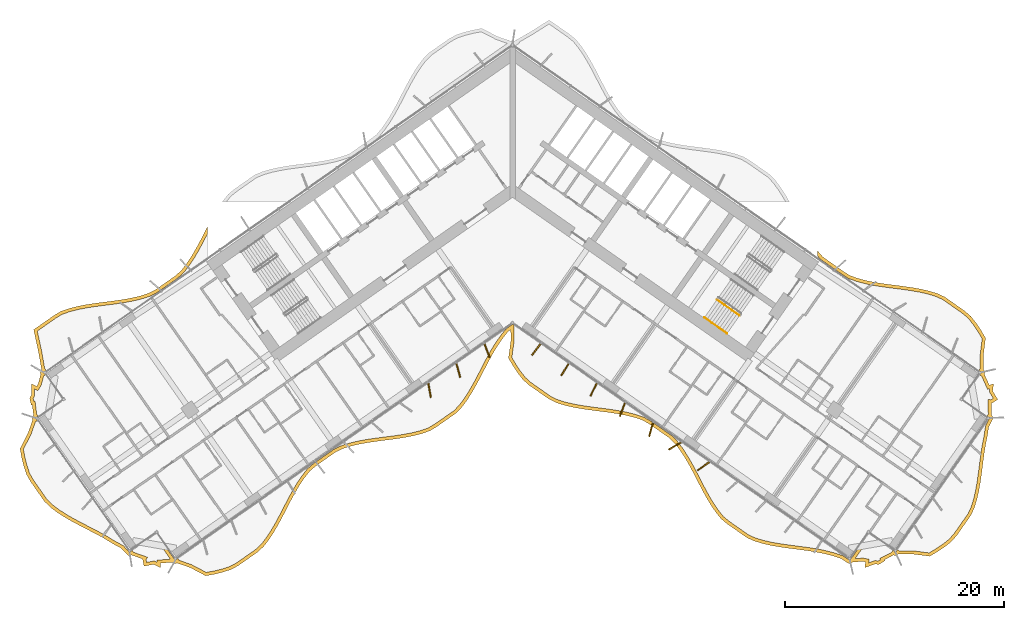
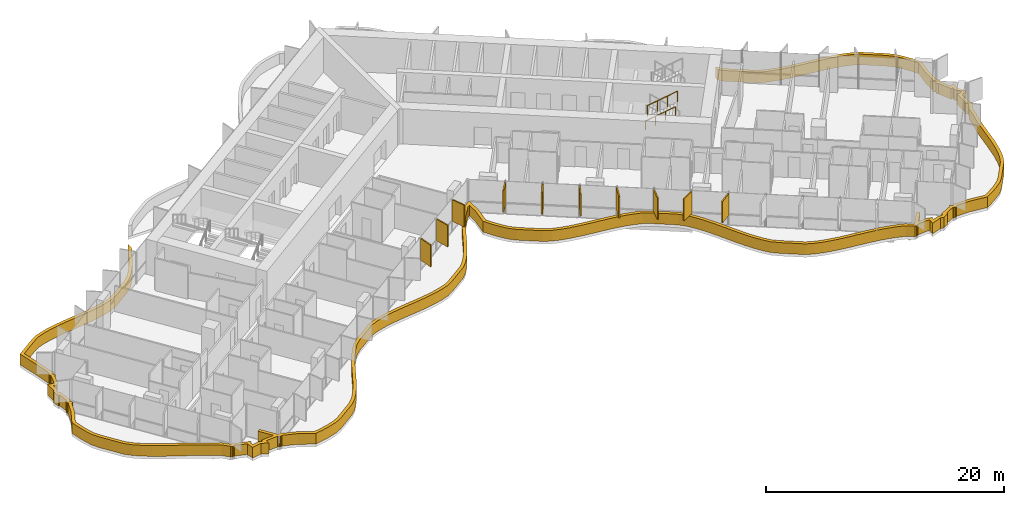
# One storey, part 22 of 25: 11 shading devices, 2 railings.
"""IFC4 building model written with IfcOpenShell, lengths in metres."""

from ifc_helpers import new_model, si_unit, direction, frame, origin, origin_2d, place, context, subcontext, project, spatial, polyline, rectangle, circle, outline, extrude, material, layer, layer_set, type_object, element, save


model = new_model("IFC4")

# Units and contexts
model_context = context("Model", 3, precision=1e-05, world=origin(), true_north=direction((0.0, 1.0)))
body_context = subcontext(model_context, "Body", "Model", "MODEL_VIEW")
ifc_project = project(units=[si_unit("LENGTHUNIT", "METRE"), si_unit("AREAUNIT", "SQUARE_METRE"), si_unit("VOLUMEUNIT", "CUBIC_METRE"), si_unit("PLANEANGLEUNIT", "RADIAN"), si_unit("MASSUNIT", "GRAM", prefix="KILO")], contexts=[model_context])

# Site, building, storey
site_placement = place(None, origin())
site = spatial("IfcSite", under=ifc_project, at=site_placement, CompositionType="ELEMENT")
building_placement = place(site_placement, origin())
building = spatial("IfcBuilding", under=site, at=building_placement, Name="Tel Ilan Convention Tower", CompositionType="ELEMENT")
storey_placement = place(building_placement, frame((0.0, 0.0, 58.10009765625)))
storey = spatial("IfcBuildingStorey", under=building, at=storey_placement, Name="L09", CompositionType="ELEMENT", Elevation=58.10009765625)

# Shading devices
ifc_material_1 = material(Name="Aluminium, bronze anodised", Category="aluminium")
ifc_layer_1 = layer(ifc_material_1, 0.1201171875)
ifc_layer_set_1 = layer_set([ifc_layer_1], Name="FIN BRONZE 1300x120")
shading_device_type_1 = type_object("IfcShadingDeviceType", Name="FIN BRONZE 1300x120", PredefinedType="USERDEFINED", material=ifc_layer_set_1)
for number, where, z_axis, x_axis, name in (
    (1, (-7.582763671875, -18.877197265625, 1.10009765625), (0.0, 0.0, 1.0), (0.173648177667, -0.984807753012, 0.0), "FIN"),
    (2, (-4.954345703125, -17.059326171875, 1.10009765625), (0.0, 0.0, 1.0), (0.268172612768, -0.963370878614, 0.0), "FIN"),
    (3, (-2.327880859375, -15.2353515625, 1.10009765625), (0.0, 0.0, 1.0), (0.360177724803, -0.932883704733, 0.0), "FIN"),
    (4, (2.17041015625, -15.13330078125, 1.10009765625), (0.0, 0.0, 1.0), (-0.612600545196, -0.790392669516, 0.0), "FIN"),
    (5, (4.7919921875, -16.968994140625, 1.10009765625), (0.0, 0.0, 1.0), (-0.533204432798, -0.845986425922, 0.0), "FIN"),
    (6, (7.413330078125, -18.80419921875, 1.10009765625), (0.0, 0.0, 1.0), (-0.448799180206, -0.893632640321, 0.0), "FIN"),
    (7, (10.03759765625, -20.6337890625, 1.10009765625), (0.0, 0.0, 1.0), (-0.360177724803, -0.932883704733, 0.0), "FIN"),
    (8, (12.664306640625, -22.457763671875, 1.10009765625), (0.0, 0.0, 1.0), (-0.268172612768, -0.963370878614, 0.0), "FIN"),
    (9, (14.842529296875, -23.96044921875, 1.10009765625), (0.0, 0.0, 1.0), (-0.866025403784, -0.5, 0.0), "FIN"),
    (10, (17.44970703125, -25.80859375, 1.10009765625), (0.0, 0.0, 1.0), (-0.813552070258, -0.581492071294, 0.0), "FIN"),
):
    element("IfcShadingDevice", number, at=place(storey_placement, frame(where, z_axis=z_axis, x_axis=x_axis)), inside=storey, type_object=shading_device_type_1, Name=name, ObjectType="FIN", PredefinedType="USERDEFINED", context=body_context, shape_type="SweptSolid", body=[
        extrude(rectangle(XDim=1.300048828125, YDim=0.1201171875, at=origin_2d()), origin(), (0.0, 0.0, 1.0), 2.219970703125),
    ])
ifc_material_2 = material(Name="Aluminium, bronze anodised", Category="aluminium")
ifc_layer_2 = layer(ifc_material_2, 0.300048828125)
ifc_layer_set_2 = layer_set([ifc_layer_2], Name="LOUVRE BAND 300x1100")
shading_device_type_2 = type_object("IfcShadingDeviceType", Name="LOUVRE BAND 300x1100", PredefinedType="USERDEFINED", material=ifc_layer_set_2)
shading_device_placement = place(storey_placement, origin())
element("IfcShadingDevice", 11, at=shading_device_placement, inside=storey, type_object=shading_device_type_2, Name="LOUVRE BAND 11.01", ObjectType="LOUVRE", PredefinedType="USERDEFINED", context=body_context, shape_type="SweptSolid", body=[
    extrude(outline(polyline([(-44.2939453125, -22.77490234375), (-45.028564453125, -24.204833984375), (-44.876953125, -25.01416015625), (-44.68408203125, -25.794677734375), (-44.4384765625, -26.538330078125), (-44.07080078125, -27.196533203125), (-42.7802734375, -29.03955078125), (-42.232421875, -29.571533203125), (-41.598876953125, -30.04345703125), (-40.91650390625, -30.481201171875), (-40.196533203125, -30.892822265625), (-39.45263671875, -31.287353515625), (-37.949462890625, -32.066162109375), (-37.219970703125, -32.470947265625), (-36.523681640625, -32.89892578125), (-35.783203125, -33.2958984375), (-35.26318359375, -33.847412109375), (-35.258544921875, -33.843994140625), (-35.2294921875, -33.887451171875), (-35.13232421875, -33.952392578125), (-35.017578125, -33.975341796875), (-34.902587890625, -33.952392578125), (-34.8486328125, -33.91650390625), (-33.810546875, -34.284912109375), (-33.821533203125, -34.302734375), (-33.688720703125, -34.9423828125), (-32.80029296875, -34.774658203125), (-32.20068359375, -35.082763671875), (-32.199462890625, -34.66796875), (-31.080322265625, -34.580810546875), (-31.051513671875, -34.624267578125), (-30.9541015625, -34.689208984375), (-30.83935546875, -34.7119140625), (-30.724365234375, -34.689208984375), (-30.67041015625, -34.653076171875), (-29.47802734375, -35.069091796875), (-28.049560546875, -35.822265625), (-27.250732421875, -35.676025390625), (-26.48095703125, -35.488525390625), (-25.74609375, -35.2509765625), (-25.0888671875, -34.90234375), (-23.27490234375, -33.63232421875), (-22.733642578125, -33.117919921875), (-22.262939453125, -32.50341796875), (-21.826416015625, -31.839599609375), (-21.4169921875, -31.13720703125), (-21.026123046875, -30.408935546875), (-20.2607421875, -28.927978515625), (-19.86669921875, -28.20361328125), (-19.45263671875, -27.5078125), (-19.010009765625, -26.85302734375), (-18.53173828125, -26.249267578125), (-17.96875, -25.76611328125), (-16.154541015625, -24.495849609375), (-15.474853515625, -24.1796875), (-14.732666015625, -23.952880859375), (-13.95654296875, -23.774169921875), (-13.154296875, -23.6328125), (-12.334716796875, -23.516357421875), (-10.681640625, -23.30322265625), (-9.86767578125, -23.178466796875), (-9.074951171875, -23.023681640625), (-8.3115234375, -22.8271484375), (-7.584228515625, -22.57861328125), (-6.9482421875, -22.2001953125), (-5.134033203125, -20.929931640625), (-4.616455078125, -20.38232421875), (-4.15283203125, -19.75732421875), (-3.722412109375, -19.0849609375), (-3.3173828125, -18.37646484375), (-2.9287109375, -17.644287109375), (-2.16259765625, -16.16455078125), (-1.765380859375, -15.44482421875), (-1.346435546875, -14.75634765625), (-0.897216796875, -14.110595703125), (-0.422119140625, -13.502197265625), (-0.16796875, -13.31494140625), (-0.15185546875, -14.322021484375), (-0.37109375, -15.922119140625), (0.03955078125, -16.62255859375), (0.47900390625, -17.281982421875), (0.95361328125, -17.89111328125), (1.505859375, -18.389404296875), (3.320068359375, -19.65966796875), (3.98828125, -19.9921875), (4.726806640625, -20.224609375), (5.499755859375, -20.407470703125), (6.2998046875, -20.552001953125), (7.1181640625, -20.67041015625), (8.771484375, -20.883056640625), (9.5869140625, -21.005615234375), (10.38232421875, -21.15673828125), (11.14892578125, -21.3486328125), (11.880126953125, -21.591796875), (12.5263671875, -21.95556640625), (14.340576171875, -23.225830078125), (14.8701171875, -23.75634765625), (15.337158203125, -24.376220703125), (15.770751953125, -25.044189453125), (16.177734375, -25.749755859375), (16.567626953125, -26.480224609375), (17.333251953125, -27.960693359375), (17.728759765625, -28.682861328125), (18.145263671875, -29.375), (18.59130859375, -30.025146484375), (19.073486328125, -30.62353515625), (19.646728515625, -31.091796875), (21.460693359375, -32.362060546875), (22.15234375, -32.6611328125), (22.898193359375, -32.883056640625), (23.67724609375, -33.057373046875), (24.481689453125, -33.19580078125), (25.302490234375, -33.310546875), (26.955078125, -33.5244140625), (27.767333984375, -33.6513671875), (28.5576171875, -33.809814453125), (29.31787109375, -34.010986328125), (30.052001953125, -34.24951171875), (30.667236328125, -34.65771484375), (30.67041015625, -34.653076171875), (30.724365234375, -34.689208984375), (30.83935546875, -34.7119140625), (30.9541015625, -34.689208984375), (31.051513671875, -34.624267578125), (31.080322265625, -34.580810546875), (32.01025390625, -34.49951171875), (32.267822265625, -34.55126953125), (32.20068359375, -35.082763671875), (33.17138671875, -34.73291015625), (33.477294921875, -34.794189453125), (34.032958984375, -34.450927734375), (33.979248046875, -34.3603515625), (34.8486328125, -33.91650390625), (34.902587890625, -33.952392578125), (35.017578125, -33.975341796875), (35.13232421875, -33.952392578125), (35.2294921875, -33.887451171875), (35.258544921875, -33.843994140625), (36.55078125, -33.833251953125), (38.145751953125, -34.034423828125), (38.8544921875, -33.615234375), (39.521728515625, -33.1669921875), (40.13671875, -32.681884765625), (40.62939453125, -32.111328125), (41.919921875, -30.268310546875), (42.232421875, -29.571533203125), (42.45947265625, -28.814697265625), (42.63720703125, -28.023681640625), (42.77783203125, -27.20654296875), (42.89404296875, -26.372314453125), (43.11181640625, -24.693603515625), (43.24267578125, -23.86962890625), (43.40673828125, -23.069091796875), (43.5263671875, -22.2373046875), (43.866943359375, -21.56005859375), (43.8623046875, -21.556884765625), (43.898193359375, -21.5029296875), (43.921142578125, -21.387939453125), (43.898193359375, -21.273193359375), (43.833251953125, -21.17578125), (43.7900390625, -21.14697265625), (43.78125, -20.04541015625), (43.8017578125, -20.049560546875), (44.357177734375, -19.7060546875), (43.89599609375, -18.9287109375), (43.98046875, -18.259765625), (43.590087890625, -18.400634765625), (43.12548828125, -17.378662109375), (43.16162109375, -17.32470703125), (43.184326171875, -17.2099609375), (43.16162109375, -17.094970703125), (43.096435546875, -16.997802734375), (43.05322265625, -16.96875), (43.041259765625, -15.681884765625), (43.245849609375, -14.085693359375), (42.828125, -13.378662109375), (42.38134765625, -12.712646484375), (41.898193359375, -12.098876953125), (41.330810546875, -11.605224609375), (39.492919921875, -10.318359375), (38.80126953125, -10.001953125), (38.0478515625, -9.774169921875), (37.260009765625, -9.595458984375), (36.44580078125, -9.4541015625), (35.614501953125, -9.337646484375), (33.940185546875, -9.120849609375), (33.117919921875, -8.99169921875), (32.318115234375, -8.830078125), (31.54931640625, -8.623779296875), (30.819091796875, -8.36279296875), (30.191162109375, -7.955810546875), (28.35693359375, -6.66357421875), (27.874755859375, -6.095458984375), (27.874755859375, -6.55908203125), (28.15234375, -6.88623046875), (30.0234375, -8.20458984375), (30.68505859375, -8.633544921875), (31.4599609375, -8.910400390625), (32.249267578125, -9.1220703125), (33.064697265625, -9.286865234375), (33.897216796875, -9.417724609375), (35.574951171875, -9.635009765625), (36.3994140625, -9.750732421875), (37.201171875, -9.8896484375), (37.97119140625, -10.064453125), (38.695068359375, -10.283447265625), (39.34326171875, -10.57958984375), (41.145751953125, -11.841796875), (41.679931640625, -12.306640625), (42.138427734375, -12.889404296875), (42.57421875, -13.53857421875), (42.935302734375, -14.149658203125), (42.740966796875, -15.66455078125), (42.75537109375, -16.87109375), (42.638671875, -17.037841796875), (42.88427734375, -17.2099609375), (42.712890625, -17.4560546875), (42.890625, -17.580322265625), (43.430908203125, -18.77685546875), (43.621337890625, -18.7080078125), (43.58544921875, -18.9931640625), (43.948974609375, -19.605712890625), (43.74462890625, -19.732177734375), (43.477294921875, -19.678466796875), (43.4921875, -21.049072265625), (43.37548828125, -21.216064453125), (43.62109375, -21.387939453125), (43.44970703125, -21.63427734375), (43.482421875, -21.656982421875), (43.236328125, -22.146240234375), (43.111083984375, -23.017578125), (42.947265625, -23.816162109375), (42.81494140625, -24.650390625), (42.5966796875, -26.332763671875), (42.481201171875, -27.160400390625), (42.343017578125, -27.96533203125), (42.1689453125, -28.73876953125), (41.95068359375, -29.466552734375), (41.657958984375, -30.11962890625), (40.392333984375, -31.9267578125), (39.928466796875, -32.464111328125), (39.344970703125, -32.92431640625), (38.6943359375, -33.361328125), (38.081298828125, -33.72412109375), (36.56787109375, -33.533203125), (35.3564453125, -33.54638671875), (35.189453125, -33.429443359375), (35.017578125, -33.67529296875), (34.771240234375, -33.50390625), (34.642822265625, -33.6875), (33.5576171875, -34.23779296875), (33.62451171875, -34.3505859375), (33.42041015625, -34.476806640625), (33.1484375, -34.422119140625), (32.559814453125, -34.634521484375), (32.600341796875, -34.31201171875), (32.026611328125, -34.19677734375), (31.310302734375, -34.26220703125), (32.117919921875, -33.109130859375), (31.8720703125, -32.93701171875), (30.83935546875, -34.412109375), (30.593505859375, -34.239990234375), (30.58935546875, -34.24609375), (30.183837890625, -33.976806640625), (29.402587890625, -33.722900390625), (28.62548828125, -33.517333984375), (27.81982421875, -33.35595703125), (26.997802734375, -33.227294921875), (25.342041015625, -33.01318359375), (24.52783203125, -32.8994140625), (23.735595703125, -32.76318359375), (22.973876953125, -32.592529296875), (22.255126953125, -32.378662109375), (21.60791015625, -32.0986328125), (19.827880859375, -30.852294921875), (19.287353515625, -30.410888671875), (18.83203125, -29.845947265625), (18.397705078125, -29.212646484375), (17.989013671875, -28.533203125), (17.597900390625, -27.8193359375), (16.833251953125, -26.3408203125), (16.440185546875, -25.604248046875), (16.026611328125, -24.8876953125), (15.583251953125, -24.2041015625), (15.09716796875, -23.55908203125), (14.5341796875, -22.9951171875), (12.6865234375, -21.701171875), (12.001953125, -21.316162109375), (11.23291015625, -21.060546875), (10.44677734375, -20.863525390625), (9.63720703125, -20.709716796875), (8.81298828125, -20.5859375), (7.15869140625, -20.373046875), (6.347900390625, -20.255859375), (5.56103515625, -20.11376953125), (4.806396484375, -19.93505859375), (4.100830078125, -19.713134765625), (3.4736328125, -19.401123046875), (1.693115234375, -18.154296875), (1.17431640625, -17.68603515625), (0.72265625, -17.106201171875), (0.294189453125, -16.46337890625), (-0.059814453125, -15.85986328125), (0.1484375, -14.340087890625), (0.12548828125, -12.906005859375), (0.0, -12.818115234375), (-0.63330078125, -13.285400390625), (-1.138916015625, -13.9326171875), (-1.597900390625, -14.592529296875), (-2.025146484375, -15.294189453125), (-2.427001953125, -16.022705078125), (-3.19482421875, -17.50537109375), (-3.580078125, -18.231689453125), (-3.979248046875, -18.929443359375), (-4.39990234375, -19.5869140625), (-4.8466796875, -20.189208984375), (-5.3310546875, -20.70166015625), (-7.111083984375, -21.947998046875), (-7.7109375, -22.304931640625), (-8.3974609375, -22.53955078125), (-9.14111328125, -22.73095703125), (-9.919189453125, -22.8828125), (-10.723876953125, -23.006103515625), (-12.374755859375, -23.218994140625), (-13.201416015625, -23.33642578125), (-14.016357421875, -23.47998046875), (-14.810302734375, -23.662841796875), (-15.58251953125, -23.89892578125), (-16.30517578125, -24.235107421875), (-18.15283203125, -25.52880859375), (-18.748779296875, -26.040283203125), (-19.252197265625, -26.675537109375), (-19.7060546875, -27.346923828125), (-20.12744140625, -28.05517578125), (-20.525634765625, -28.787109375), (-21.29150390625, -30.26904296875), (-21.678955078125, -30.99072265625), (-22.08154296875, -31.681640625), (-22.507568359375, -32.32958984375), (-22.95751953125, -32.916748046875), (-23.46533203125, -33.3994140625), (-25.245849609375, -34.64599609375), (-25.86328125, -34.9736328125), (-26.5625, -35.19970703125), (-27.313232421875, -35.38232421875), (-28.00146484375, -35.508544921875), (-29.3583984375, -34.79296875), (-30.477294921875, -34.406005859375), (-30.593505859375, -34.239990234375), (-30.83935546875, -34.412109375), (-31.8720703125, -32.93701171875), (-32.117919921875, -33.109130859375), (-31.28515625, -34.29833984375), (-32.498779296875, -34.3896484375), (-32.499267578125, -34.59228515625), (-32.7548828125, -34.4609375), (-33.454833984375, -34.593017578125), (-33.503662109375, -34.35791015625), (-33.361572265625, -34.124755859375), (-34.655029296875, -33.669921875), (-34.771240234375, -33.50390625), (-35.017578125, -33.67529296875), (-35.189453125, -33.429443359375), (-35.222900390625, -33.452880859375), (-35.598388671875, -33.054443359375), (-36.374267578125, -32.638671875), (-37.068603515625, -32.211669921875), (-37.807373046875, -31.802001953125), (-39.313720703125, -31.021240234375), (-40.052001953125, -30.6298828125), (-40.760986328125, -30.224609375), (-41.42822265625, -29.796630859375), (-42.03759765625, -29.342529296875), (-42.551025390625, -28.84423828125), (-43.81640625, -27.036865234375), (-44.16259765625, -26.4169921875), (-44.3955078125, -25.71142578125), (-44.583740234375, -24.950439453125), (-44.71484375, -24.25048828125), (-44.017822265625, -22.8935546875), (-43.61572265625, -21.75048828125), (-43.44970703125, -21.63427734375), (-43.62109375, -21.387939453125), (-43.37548828125, -21.216064453125), (-43.50439453125, -21.03173828125), (-43.650390625, -19.823974609375), (-43.779296875, -19.84814453125), (-43.828125, -19.613037109375), (-43.683837890625, -19.376220703125), (-43.681884765625, -18.75048828125), (-43.392822265625, -18.89892578125), (-43.088134765625, -18.399169921875), (-42.8681640625, -17.564697265625), (-42.712890625, -17.4560546875), (-42.88427734375, -17.2099609375), (-42.638671875, -17.037841796875), (-42.772705078125, -16.846435546875), (-43.07080078125, -15.1611328125), (-43.445556640625, -13.4521484375), (-41.779296875, -12.285400390625), (-41.1748046875, -11.917724609375), (-40.481201171875, -11.678466796875), (-39.728515625, -11.483642578125), (-38.940185546875, -11.32958984375), (-38.125, -11.204833984375), (-36.4521484375, -10.9892578125), (-35.61474609375, -10.869140625), (-34.790283203125, -10.7216796875), (-33.988037109375, -10.532958984375), (-33.2060546875, -10.2880859375), (-32.48779296875, -9.93017578125), (-30.61474609375, -8.61865234375), (-30.02783203125, -8.073974609375), (-29.527587890625, -7.424560546875), (-29.074462890625, -6.73681640625), (-28.652587890625, -6.013916015625), (-28.2529296875, -5.268798828125), (-27.874755859375, -4.535400390625), (-27.874755859375, -3.883544921875), (-28.518310546875, -5.129150390625), (-28.91455078125, -5.8671875), (-29.329345703125, -6.57861328125), (-29.772216796875, -7.250244140625), (-30.250244140625, -7.87109375), (-30.8037109375, -8.384765625), (-32.6416015625, -9.671630859375), (-33.318603515625, -10.0087890625), (-34.067138671875, -10.243408203125), (-34.85107421875, -10.427734375), (-35.66259765625, -10.572998046875), (-36.4921875, -10.69189453125), (-38.167236328125, -10.90771484375), (-38.99169921875, -11.033935546875), (-39.794921875, -11.19091796875), (-40.56787109375, -11.390869140625), (-41.30322265625, -11.64453125), (-41.943359375, -12.0341796875), (-43.78125, -13.321044921875), (-43.364990234375, -15.219482421875), (-43.05322265625, -16.96875), (-43.096435546875, -16.997802734375), (-43.16162109375, -17.094970703125), (-43.184326171875, -17.2099609375), (-43.16162109375, -17.32470703125), (-43.12548828125, -17.378662109375), (-43.3671875, -18.2802734375), (-43.50390625, -18.504638671875), (-43.98046875, -18.259765625), (-43.9833984375, -19.291748046875), (-44.14599609375, -19.55810546875), (-44.01318359375, -20.197509765625), (-43.90966796875, -20.177978515625), (-43.7900390625, -21.14697265625), (-43.833251953125, -21.17578125), (-43.898193359375, -21.273193359375), (-43.921142578125, -21.387939453125), (-43.898193359375, -21.5029296875), (-43.8623046875, -21.556884765625), (-44.2939453125, -22.77490234375)])), origin(), (0.0, 0.0, 1.0), 1.099853515625),
])

# Railings
ifc_material_3 = material(Name="Stainless Steel Grade 316", Category="steel")
railing_type_1 = type_object("IfcRailingType", Name="Stainless Steel Stair Guard 1100 mm", PredefinedType="GUARDRAIL", material=ifc_material_3)
railing_1_placement = place(storey_placement, frame((18.689208984375, -10.583740234375, 1.97998046875)))
element("IfcRailing", 12, at=railing_1_placement, inside=storey, type_object=railing_type_1, Name="L09 S4 stair guard 3", PredefinedType="GUARDRAIL", context=body_context, shape_type="SweptSolid", body=[
    extrude(circle(Radius=0.02392578125, at=origin_2d()), frame((0.0, 0.0, 1.076171875), z_axis=(0.689086176785, -0.482507007183, 0.540691436018), x_axis=(0.573579365141, 0.81914999352, 0.0)), (0.0, 0.0, 1.0), 2.995849609375),
    extrude(circle(Radius=0.02099609375, at=origin_2d()), origin(), (0.0, 0.0, 1.0), 1.052001953125),
    extrude(circle(Radius=0.02099609375, at=origin_2d()), frame((0.688232421875, -0.48193359375, 0.5400390625)), (0.0, 0.0, 1.0), 1.052001953125),
    extrude(circle(Radius=0.02099609375, at=origin_2d()), frame((1.376220703125, -0.963623046875, 1.079833984375)), (0.0, 0.0, 1.0), 1.052001953125),
    extrude(circle(Radius=0.02099609375, at=origin_2d()), frame((2.064453125, -1.445556640625, 1.619873046875)), (0.0, 0.0, 1.0), 1.052001953125),
])
ifc_material_4 = material(Name="Stainless Steel Grade 316", Category="steel")
railing_type_2 = type_object("IfcRailingType", Name="Stainless Steel Stair Handrail 900 mm", PredefinedType="HANDRAIL", material=ifc_material_4)
railing_2_placement = place(storey_placement, frame((17.542236328125, -12.22216796875, 1.97998046875)))
element("IfcRailing", 13, at=railing_2_placement, inside=storey, type_object=railing_type_2, Name="L09 S4 stair handrail 2", PredefinedType="HANDRAIL", context=body_context, shape_type="SweptSolid", body=[
    extrude(circle(Radius=0.02392578125, at=origin_2d()), frame((0.0, 0.0, 0.8759765625), z_axis=(0.68907047291, -0.482471578903, 0.540743061828), x_axis=(0.573559875649, 0.819163639968, 0.0)), (0.0, 0.0, 1.0), 2.99560546875),
    extrude(circle(Radius=0.02099609375, at=origin_2d()), origin(), (0.0, 0.0, 1.0), 0.851806640625),
    extrude(circle(Radius=0.02099609375, at=origin_2d()), frame((0.68798828125, -0.481689453125, 0.5400390625)), (0.0, 0.0, 1.0), 0.851806640625),
    extrude(circle(Radius=0.02099609375, at=origin_2d()), frame((1.376220703125, -0.963623046875, 1.079833984375)), (0.0, 0.0, 1.0), 0.851806640625),
    extrude(circle(Radius=0.02099609375, at=origin_2d()), frame((2.064208984375, -1.4453125, 1.619873046875)), (0.0, 0.0, 1.0), 0.851806640625),
])

save(model, "model.ifc")
